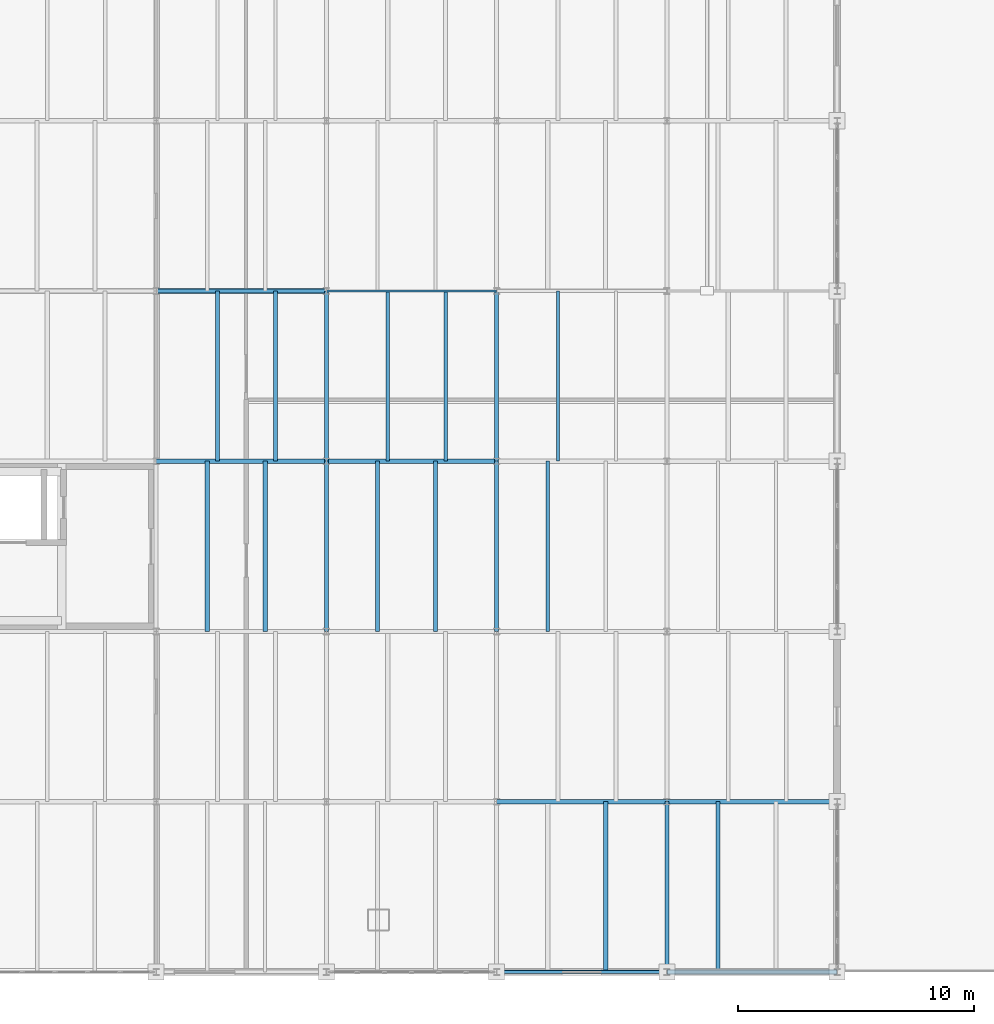
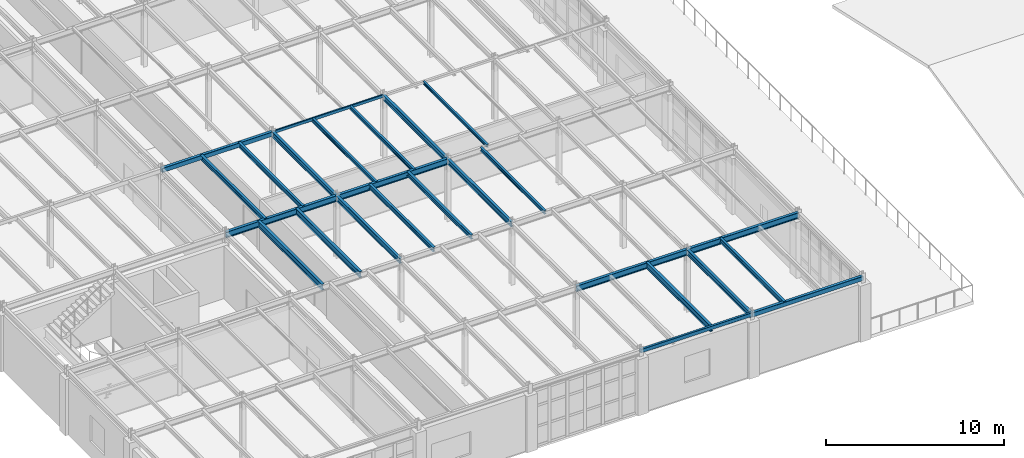
# One storey, part 13 of 36: 25 beams.
"""IFC4 building model written with IfcOpenShell, lengths in metres."""

import ifcopenshell
import ifcopenshell.guid

model = None  # the IFC model being written
_history = None  # IfcOwnerHistory: only IFC2X3 demands one
_inside = {}  # id of a spatial element -> (the spatial element, [elements in it])
_under = {}  # id of a project, library or spatial element -> (it, [spatial elements below it])
_declared = {}  # id of a project -> (the project, [libraries it declares])
_typed = {}  # id of a type object -> (the type object, [elements of that type])
_made_of = {}  # id of a material, layer set ... -> (it, [elements and type objects made of it])


def new_model(schema):
    """Start an empty IFC model of exactly this schema.

    Asked for "IFC4X3", IfcOpenShell would pick the latest addendum, in which some entities
    have other attributes; the version numbers below select the first issue.
    IFC2X3 requires an IfcOwnerHistory on every rooted entity: one is made here for all.
    """
    global model, _history
    if schema == "IFC4X3":
        model = ifcopenshell.file(schema_version=(4, 3, 0, 0))
    else:
        model = ifcopenshell.file(schema=schema)
    _inside.clear()
    _under.clear()
    _declared.clear()
    _typed.clear()
    _made_of.clear()
    _history = None
    if model.schema == "IFC2X3":
        org = make("IfcOrganization", Name="unknown")
        user = make(
            "IfcPersonAndOrganization",
            ThePerson=make("IfcPerson", FamilyName="unknown"),
            TheOrganization=org,
        )
        app = make(
            "IfcApplication",
            ApplicationDeveloper=org,
            Version="unknown",
            ApplicationFullName="unknown",
            ApplicationIdentifier="unknown",
        )
        _history = make(
            "IfcOwnerHistory",
            OwningUser=user,
            OwningApplication=app,
            ChangeAction="ADDED",
            CreationDate=0,
        )
    return model


def make(cls, **values):
    """One entity of the class cls with the attributes given. An attribute that is None is left unset."""
    return model.create_entity(
        cls, **{name: value for name, value in values.items() if value is not None}
    )


def rooted(cls, **values):
    """An entity with a GlobalId (a new one), such as an element, a storey or a relation."""
    return make(cls, GlobalId=ifcopenshell.guid.new(), OwnerHistory=_history, **values)


def si_unit(unit_type, name, prefix=None):
    """IfcSIUnit, for example si_unit("LENGTHUNIT", "METRE", prefix="MILLI")."""
    return make("IfcSIUnit", UnitType=unit_type, Prefix=prefix, Name=name)


def assignment(units):
    """IfcUnitAssignment: the units of a project."""
    return None if units is None else make("IfcUnitAssignment", Units=units)


def point(xyz):
    """IfcCartesianPoint."""
    return None if xyz is None else make("IfcCartesianPoint", Coordinates=xyz)


def direction(xyz):
    """IfcDirection."""
    return None if xyz is None else make("IfcDirection", DirectionRatios=xyz)


def frame(location, z_axis=None, x_axis=None):
    """IfcAxis2Placement3D, a coordinate frame: its origin and axes. An axis left out is left unset."""
    return make(
        "IfcAxis2Placement3D",
        Location=point(location),
        Axis=direction(z_axis),
        RefDirection=direction(x_axis),
    )


def frame_2d(location, x_axis=None):
    """IfcAxis2Placement2D, a coordinate frame in the plane: its origin and x axis."""
    return make(
        "IfcAxis2Placement2D", Location=point(location), RefDirection=direction(x_axis)
    )


def origin():
    """The frame at (0, 0, 0) with its axes left unset."""
    return frame((0.0, 0.0, 0.0))


def origin_2d():
    """The frame at (0, 0) in the plane with its x axis left unset."""
    return frame_2d((0.0, 0.0))


def place(relative_to, where):
    """IfcLocalPlacement: puts the frame where relative to a parent placement (None: the world)."""
    return make(
        "IfcLocalPlacement", PlacementRelTo=relative_to, RelativePlacement=where
    )


def context(
    kind, dimensions, precision=None, world=None, true_north=None, identifier=None
):
    """IfcGeometricRepresentationContext, for example the 3D "Model" context."""
    return make(
        "IfcGeometricRepresentationContext",
        ContextIdentifier=identifier,
        ContextType=kind,
        CoordinateSpaceDimension=dimensions,
        Precision=precision,
        WorldCoordinateSystem=world,
        TrueNorth=true_north,
    )


def subcontext(parent, identifier, kind, view, scale=None):
    """IfcGeometricRepresentationSubContext, for example "Body" below "Model"."""
    return make(
        "IfcGeometricRepresentationSubContext",
        ContextIdentifier=identifier,
        ContextType=kind,
        ParentContext=parent,
        TargetScale=scale,
        TargetView=view,
    )


def project(units=None, contexts=None):
    """IfcProject with its units and contexts."""
    return rooted(
        "IfcProject",
        Name="project",
        RepresentationContexts=contexts,
        UnitsInContext=assignment(units),
    )


def spatial(cls, under=None, at=None, **own):
    """A site, building, storey or space (cls), placed at a placement, below another one or the project."""
    s = rooted(cls, ObjectPlacement=at, **own)
    if under is not None:
        _under.setdefault(under.id(), (under, []))[1].append(s)
    return s


def profile(cls, at=None, kind="AREA", **sizes):
    """A parametric profile (cls). Its sizes go by their IFC names, for example OverallWidth=200.0."""
    return make(cls, ProfileType=kind, Position=at, **sizes)


def hollow_rectangle(**sizes):
    """IfcRectangleHollowProfileDef."""
    return profile("IfcRectangleHollowProfileDef", **sizes)


def i_section(**sizes):
    """IfcIShapeProfileDef."""
    return profile("IfcIShapeProfileDef", **sizes)


def extrude(swept, where, along, depth):
    """IfcExtrudedAreaSolid: the profile swept, set in the frame where, extruded along a direction by depth."""
    return make(
        "IfcExtrudedAreaSolid",
        SweptArea=swept,
        Position=where,
        ExtrudedDirection=direction(along),
        Depth=depth,
    )


def shape(context_of_items, identifier, shape_type, items):
    """IfcShapeRepresentation: the items that make up one representation, for example the "Body"."""
    return make(
        "IfcShapeRepresentation",
        ContextOfItems=context_of_items,
        RepresentationIdentifier=identifier,
        RepresentationType=shape_type,
        Items=items,
    )


def material(Name=None, Category=None):
    """IfcMaterial."""
    return make("IfcMaterial", Name=Name, Category=Category)


def material_profile(
    of_material, cross_section, Name=None, Category=None, Priority=None
):
    """IfcMaterialProfile: a cross section and its material."""
    return make(
        "IfcMaterialProfile",
        Name=Name,
        Material=of_material,
        Profile=cross_section,
        Priority=Priority,
        Category=Category,
    )


def profile_set(profiles, Name=None, composite=None):
    """IfcMaterialProfileSet."""
    return make(
        "IfcMaterialProfileSet",
        Name=Name,
        MaterialProfiles=profiles,
        CompositeProfile=composite,
    )


def made_of(thing, what):
    """Note that an element or type object is made of a material, layer set ...; save() writes the relation."""
    if what is not None:
        _made_of.setdefault(what.id(), (what, []))[1].append(thing)
    return thing


def type_object(cls, material=None, **own):
    """A type object (cls), such as IfcWallType, which elements share."""
    return made_of(rooted(cls, **own), material)


def element(
    cls,
    number,
    at=None,
    inside=None,
    cuts=None,
    type_object=None,
    material=None,
    context=None,
    identifier="Body",
    shape_type=None,
    held_by="IfcProductDefinitionShape",
    body=None,
    shapes=None,
    **own,
):
    """One element of the class cls, such as IfcWall. Its Tag is "e" and its number.

    at: its placement. inside: the storey or other place that contains it. cuts: it is an
    opening in that element (IfcRelVoidsElement). A single representation is given by context,
    identifier, shape_type and body (its items); several are given by shapes. held_by: the class
    of the entity that holds the representations. save() writes the other relations.
    """
    e = rooted(cls, Tag="e%d" % number, ObjectPlacement=at, **own)
    if body is not None:
        shapes = [shape(context, identifier, shape_type, body)]
    if shapes is not None:
        e.Representation = make(held_by, Representations=shapes)
    if inside is not None:
        _inside.setdefault(inside.id(), (inside, []))[1].append(e)
    if cuts is not None:
        rooted(
            "IfcRelVoidsElement", RelatingBuildingElement=cuts, RelatedOpeningElement=e
        )
    if type_object is not None:
        _typed.setdefault(type_object.id(), (type_object, []))[1].append(e)
    return made_of(e, material)


def aggregate(whole, parts):
    """IfcRelAggregates: a whole, such as a stair, and the parts it consists of."""
    return rooted("IfcRelAggregates", RelatingObject=whole, RelatedObjects=parts)


def save(model, path):
    """Write the relations noted so far, then the file.

    IfcRelAggregates (storeys below a building ...), IfcRelContainedInSpatialStructure (elements
    in a storey), IfcRelDefinesByType, IfcRelAssociatesMaterial and IfcRelDeclares: one each for
    every whole, place, type object, material and project.
    """
    for whole, parts in _under.values():
        aggregate(whole, parts)
    for where, things in _inside.values():
        rooted(
            "IfcRelContainedInSpatialStructure",
            RelatedElements=things,
            RelatingStructure=where,
        )
    for kind, things in _typed.values():
        rooted("IfcRelDefinesByType", RelatedObjects=things, RelatingType=kind)
    for what, things in _made_of.values():
        rooted("IfcRelAssociatesMaterial", RelatedObjects=things, RelatingMaterial=what)
    for by, libraries in _declared.values():
        rooted("IfcRelDeclares", RelatingContext=by, RelatedDefinitions=libraries)
    model.write(path)


model = new_model("IFC4")

# Units and contexts
model_context = context("Model", 3, precision=1e-05, world=origin(), true_north=direction((0.0, 1.0)))
body_context = subcontext(model_context, "Body", "Model", "MODEL_VIEW")
ifc_project = project(units=[si_unit("LENGTHUNIT", "METRE"), si_unit("AREAUNIT", "SQUARE_METRE"), si_unit("VOLUMEUNIT", "CUBIC_METRE"), si_unit("PLANEANGLEUNIT", "RADIAN"), si_unit("MASSUNIT", "GRAM", prefix="KILO")], contexts=[model_context])

# Site, building, storey
site_placement = place(None, origin())
site = spatial("IfcSite", under=ifc_project, at=site_placement, CompositionType="ELEMENT")
building_placement = place(site_placement, origin())
building = spatial("IfcBuilding", under=site, at=building_placement, Name="Kemerveld Promenade Tramway Depot", CompositionType="ELEMENT")
storey_placement = place(building_placement, frame((0.0, 0.0, 14.39990234375)))
storey = spatial("IfcBuildingStorey", under=building, at=storey_placement, Name="L03", CompositionType="ELEMENT", Elevation=14.39990234375)

# Beams
ifc_material = material(Name="Steel S355", Category="steel")
ifc_material_profile_1 = material_profile(ifc_material, i_section(OverallWidth=0.1787109375, OverallDepth=0.409423828125, WebThickness=0.0087890625, FlangeThickness=0.014404296875, FilletRadius=0.01025390625, at=origin_2d()), Name="406x178x67 UB")
ifc_profile_set_1 = profile_set([ifc_material_profile_1], Name="Steel S355")
beam_type_1 = type_object("IfcBeamType", Name="BM-G07", PredefinedType="BEAM", material=ifc_profile_set_1)
for number, where, z_axis, x_axis, name in (
    (1, (28.800048828125, 7.199951171875, 4.080322265625), (1.0, 0.0, 0.0), (0.0, 1.0, 0.0), "BMX-L03-05-06-B"),
    (2, (36.0, 7.199951171875, 4.080322265625), (1.0, 0.0, 0.0), (0.0, 1.0, 0.0), "BMX-L03-06-07-B"),
):
    element("IfcBeam", number, at=place(storey_placement, frame(where, z_axis=z_axis, x_axis=x_axis)), inside=storey, type_object=beam_type_1, Name=name, PredefinedType="BEAM", context=body_context, shape_type="SweptSolid", body=[
        extrude(i_section(OverallWidth=0.1787109375, OverallDepth=0.409423828125, WebThickness=0.0087890625, FlangeThickness=0.014404296875, FilletRadius=0.01025390625, at=origin_2d()), origin(), (0.0, 0.0, 1.0), 7.199951171875),
    ])
beam_1_placement = place(storey_placement, frame((14.39990234375, 21.60009765625, 4.075439453125), z_axis=(1.0, 0.0, 0.0), x_axis=(0.0, 1.0, 0.0)))
element("IfcBeam", 3, at=beam_1_placement, inside=storey, type_object=beam_type_1, Name="BMX-L03-03-04-D", PredefinedType="BEAM", context=body_context, shape_type="SweptSolid", body=[
    extrude(i_section(OverallWidth=0.1787109375, OverallDepth=0.409423828125, WebThickness=0.0087890625, FlangeThickness=0.014404296875, FilletRadius=0.01025390625, at=origin_2d()), origin(), (0.0, 0.0, 1.0), 7.2001953125),
])
beam_2_placement = place(storey_placement, frame((21.60009765625, 21.60009765625, 4.080322265625), z_axis=(1.0, 0.0, 0.0), x_axis=(0.0, 1.0, 0.0)))
element("IfcBeam", 4, at=beam_2_placement, inside=storey, type_object=beam_type_1, Name="BMX-L03-04-05-D", PredefinedType="BEAM", context=body_context, shape_type="SweptSolid", body=[
    extrude(i_section(OverallWidth=0.1787109375, OverallDepth=0.409423828125, WebThickness=0.0087890625, FlangeThickness=0.014404296875, FilletRadius=0.01025390625, at=origin_2d()), origin(), (0.0, 0.0, 1.0), 7.199951171875),
])
ifc_material_profile_2 = material_profile(ifc_material, i_section(OverallWidth=0.172119140625, OverallDepth=0.35791015625, WebThickness=0.008056640625, FlangeThickness=0.012939453125, FilletRadius=0.01025390625, at=origin_2d()), Name="356x171x57 UB")
ifc_profile_set_2 = profile_set([ifc_material_profile_2], Name="Steel S355")
beam_type_2 = type_object("IfcBeamType", Name="BM-G08", PredefinedType="BEAM", material=ifc_profile_set_2)
beam_3_placement = place(storey_placement, frame((21.60009765625, 14.39990234375, 4.106201171875), z_axis=(0.0, 1.0, 0.0), x_axis=(-1.0, 0.0, 0.0)))
element("IfcBeam", 5, at=beam_3_placement, inside=storey, type_object=beam_type_2, Name="BMY-L03-04-C-D", PredefinedType="BEAM", context=body_context, shape_type="SweptSolid", body=[
    extrude(i_section(OverallWidth=0.172119140625, OverallDepth=0.35791015625, WebThickness=0.008056640625, FlangeThickness=0.012939453125, FilletRadius=0.01025390625, at=origin_2d()), origin(), (0.0, 0.0, 1.0), 7.2001953125),
])
beam_4_placement = place(storey_placement, frame((21.60009765625, 21.60009765625, 4.106201171875), z_axis=(0.0, 1.0, 0.0), x_axis=(-1.0, 0.0, 0.0)))
element("IfcBeam", 6, at=beam_4_placement, inside=storey, type_object=beam_type_2, Name="BMY-L03-04-D-E", PredefinedType="BEAM", context=body_context, shape_type="SweptSolid", body=[
    extrude(i_section(OverallWidth=0.172119140625, OverallDepth=0.35791015625, WebThickness=0.008056640625, FlangeThickness=0.012939453125, FilletRadius=0.01025390625, at=origin_2d()), origin(), (0.0, 0.0, 1.0), 7.199951171875),
])
beam_5_placement = place(storey_placement, frame((28.800048828125, 14.39990234375, 4.106201171875), z_axis=(0.0, 1.0, 0.0), x_axis=(-1.0, 0.0, 0.0)))
element("IfcBeam", 7, at=beam_5_placement, inside=storey, type_object=beam_type_2, Name="BMY-L03-05-C-D", PredefinedType="BEAM", context=body_context, shape_type="SweptSolid", body=[
    extrude(i_section(OverallWidth=0.172119140625, OverallDepth=0.35791015625, WebThickness=0.008056640625, FlangeThickness=0.012939453125, FilletRadius=0.01025390625, at=origin_2d()), origin(), (0.0, 0.0, 1.0), 7.2001953125),
])
for number, where, z_axis, x_axis, name in (
    (8, (28.800048828125, 21.60009765625, 4.106201171875), (0.0, 1.0, 0.0), (-1.0, 0.0, 0.0), "BMY-L03-05-D-E"),
    (9, (36.0, 0.0, 4.106201171875), (0.0, 1.0, 0.0), (-1.0, 0.0, 0.0), "BMY-L03-06-A-B"),
):
    element("IfcBeam", number, at=place(storey_placement, frame(where, z_axis=z_axis, x_axis=x_axis)), inside=storey, type_object=beam_type_2, Name=name, PredefinedType="BEAM", context=body_context, shape_type="SweptSolid", body=[
        extrude(i_section(OverallWidth=0.172119140625, OverallDepth=0.35791015625, WebThickness=0.008056640625, FlangeThickness=0.012939453125, FilletRadius=0.01025390625, at=origin_2d()), origin(), (0.0, 0.0, 1.0), 7.199951171875),
    ])
ifc_material_profile_3 = material_profile(ifc_material, hollow_rectangle(XDim=0.14990234375, YDim=0.25, WallThickness=0.010009765625, InnerFilletRadius=0.0048828125, OuterFilletRadius=0.014892578125, at=origin_2d()), Name="250x150x10.0 RHS")
ifc_profile_set_3 = profile_set([ifc_material_profile_3], Name="Steel S355")
beam_type_3 = type_object("IfcBeamType", Name="BM-G17", PredefinedType="BEAM", material=ifc_profile_set_3)
beam_6_placement = place(storey_placement, frame((28.800048828125, 0.0, 4.16015625), z_axis=(1.0, 0.0, 0.0), x_axis=(0.0, 1.0, 0.0)))
element("IfcBeam", 10, at=beam_6_placement, inside=storey, type_object=beam_type_3, Name="BMX-L03-05-06-A", PredefinedType="BEAM", context=body_context, shape_type="SweptSolid", body=[
    extrude(hollow_rectangle(XDim=0.14990234375, YDim=0.25, WallThickness=0.010009765625, InnerFilletRadius=0.0048828125, OuterFilletRadius=0.014892578125, at=origin_2d()), origin(), (0.0, 0.0, 1.0), 7.199951171875),
])
ifc_material_profile_4 = material_profile(ifc_material, hollow_rectangle(XDim=0.199951171875, YDim=0.300048828125, WallThickness=0.012451171875, InnerFilletRadius=0.00634765625, OuterFilletRadius=0.018798828125, at=origin_2d()), Name="300x200x12.5 RHS")
ifc_profile_set_4 = profile_set([ifc_material_profile_4], Name="Steel S355")
beam_type_4 = type_object("IfcBeamType", Name="BM-G18", PredefinedType="BEAM", material=ifc_profile_set_4)
beam_7_placement = place(storey_placement, frame((36.0, 0.0, 4.135009765625), z_axis=(1.0, 0.0, 0.0), x_axis=(0.0, 1.0, 0.0)))
element("IfcBeam", 11, at=beam_7_placement, inside=storey, type_object=beam_type_4, Name="BMX-L03-06-07-A", PredefinedType="BEAM", context=body_context, shape_type="SweptSolid", body=[
    extrude(hollow_rectangle(XDim=0.199951171875, YDim=0.300048828125, WallThickness=0.012451171875, InnerFilletRadius=0.00634765625, OuterFilletRadius=0.018798828125, at=origin_2d()), origin(), (0.0, 0.0, 1.0), 7.199951171875),
])
ifc_material_profile_5 = material_profile(ifc_material, i_section(OverallWidth=0.165771484375, OverallDepth=0.306640625, WebThickness=0.006591796875, FlangeThickness=0.01171875, FilletRadius=0.0087890625, at=origin_2d()), Name="305x165x46 UB")
ifc_profile_set_5 = profile_set([ifc_material_profile_5], Name="Steel S355")
beam_type_5 = type_object("IfcBeamType", Name="BM-J01", PredefinedType="JOIST", material=ifc_profile_set_5)
for number, where, z_axis, x_axis, name in (
    (12, (16.991943359375, 21.60009765625, 4.1318359375), (0.0, 1.0, 0.0), (-1.0, 0.0, 0.0), "JST-L03-03-D-1"),
    (13, (19.43994140625, 21.60009765625, 4.1318359375), (0.0, 1.0, 0.0), (-1.0, 0.0, 0.0), "JST-L03-03-D-2"),
):
    element("IfcBeam", number, at=place(storey_placement, frame(where, z_axis=z_axis, x_axis=x_axis)), inside=storey, type_object=beam_type_5, Name=name, PredefinedType="JOIST", context=body_context, shape_type="SweptSolid", body=[
        extrude(i_section(OverallWidth=0.165771484375, OverallDepth=0.306640625, WebThickness=0.006591796875, FlangeThickness=0.01171875, FilletRadius=0.0087890625, at=origin_2d()), origin(), (0.0, 0.0, 1.0), 7.199951171875),
    ])
for number, where, z_axis, x_axis, name in (
    (14, (23.760009765625, 14.39990234375, 4.1318359375), (0.0, 1.0, 0.0), (-1.0, 0.0, 0.0), "JST-L03-04-C-1"),
    (15, (26.2080078125, 14.39990234375, 4.1318359375), (0.0, 1.0, 0.0), (-1.0, 0.0, 0.0), "JST-L03-04-C-2"),
):
    element("IfcBeam", number, at=place(storey_placement, frame(where, z_axis=z_axis, x_axis=x_axis)), inside=storey, type_object=beam_type_5, Name=name, PredefinedType="JOIST", context=body_context, shape_type="SweptSolid", body=[
        extrude(i_section(OverallWidth=0.165771484375, OverallDepth=0.306640625, WebThickness=0.006591796875, FlangeThickness=0.01171875, FilletRadius=0.0087890625, at=origin_2d()), origin(), (0.0, 0.0, 1.0), 7.2001953125),
    ])
beam_8_placement = place(storey_placement, frame((38.159912109375, 0.0, 4.1318359375), z_axis=(0.0, 1.0, 0.0), x_axis=(-1.0, 0.0, 0.0)))
element("IfcBeam", 16, at=beam_8_placement, inside=storey, type_object=beam_type_5, Name="JST-L03-06-A-1", PredefinedType="JOIST", context=body_context, shape_type="SweptSolid", body=[
    extrude(i_section(OverallWidth=0.165771484375, OverallDepth=0.306640625, WebThickness=0.006591796875, FlangeThickness=0.01171875, FilletRadius=0.0087890625, at=origin_2d()), origin(), (0.0, 0.0, 1.0), 7.199951171875),
])
ifc_material_profile_6 = material_profile(ifc_material, i_section(OverallWidth=0.146484375, OverallDepth=0.256103515625, WebThickness=0.00634765625, FlangeThickness=0.010986328125, FilletRadius=0.007568359375, at=origin_2d()), Name="254x146x37 UB")
ifc_profile_set_6 = profile_set([ifc_material_profile_6], Name="Steel S355")
beam_type_6 = type_object("IfcBeamType", Name="BM-J02", PredefinedType="JOIST", material=ifc_profile_set_6)
for number, where, z_axis, x_axis, name in (
    (17, (24.19189453125, 21.60009765625, 4.156982421875), (0.0, 1.0, 0.0), (-1.0, 0.0, 0.0), "JST-L03-04-D-1"),
    (18, (26.639892578125, 21.60009765625, 4.156982421875), (0.0, 1.0, 0.0), (-1.0, 0.0, 0.0), "JST-L03-04-D-2"),
):
    element("IfcBeam", number, at=place(storey_placement, frame(where, z_axis=z_axis, x_axis=x_axis)), inside=storey, type_object=beam_type_6, Name=name, PredefinedType="JOIST", context=body_context, shape_type="SweptSolid", body=[
        extrude(i_section(OverallWidth=0.146484375, OverallDepth=0.256103515625, WebThickness=0.00634765625, FlangeThickness=0.010986328125, FilletRadius=0.007568359375, at=origin_2d()), origin(), (0.0, 0.0, 1.0), 7.199951171875),
    ])
beam_9_placement = place(storey_placement, frame((30.9599609375, 14.39990234375, 4.156982421875), z_axis=(0.0, 1.0, 0.0), x_axis=(-1.0, 0.0, 0.0)))
element("IfcBeam", 19, at=beam_9_placement, inside=storey, type_object=beam_type_6, Name="JST-L03-05-C-1", PredefinedType="JOIST", context=body_context, shape_type="SweptSolid", body=[
    extrude(i_section(OverallWidth=0.146484375, OverallDepth=0.256103515625, WebThickness=0.00634765625, FlangeThickness=0.010986328125, FilletRadius=0.007568359375, at=origin_2d()), origin(), (0.0, 0.0, 1.0), 7.2001953125),
])
ifc_material_profile_7 = material_profile(ifc_material, i_section(OverallWidth=0.13330078125, OverallDepth=0.203125, WebThickness=0.005615234375, FlangeThickness=0.0078125, FilletRadius=0.007568359375, at=origin_2d()), Name="203x133x25 UB")
ifc_profile_set_7 = profile_set([ifc_material_profile_7], Name="Steel S355")
beam_type_7 = type_object("IfcBeamType", Name="BM-J03", PredefinedType="JOIST", material=ifc_profile_set_7)
beam_10_placement = place(storey_placement, frame((31.39208984375, 21.60009765625, 4.18359375), z_axis=(0.0, 1.0, 0.0), x_axis=(-1.0, 0.0, 0.0)))
element("IfcBeam", 20, at=beam_10_placement, inside=storey, type_object=beam_type_7, Name="JST-L03-05-D-1", PredefinedType="JOIST", context=body_context, shape_type="SweptSolid", body=[
    extrude(i_section(OverallWidth=0.13330078125, OverallDepth=0.203125, WebThickness=0.005615234375, FlangeThickness=0.0078125, FilletRadius=0.007568359375, at=origin_2d()), origin(), (0.0, 0.0, 1.0), 7.199951171875),
])
ifc_material_profile_8 = material_profile(ifc_material, i_section(OverallWidth=0.1787109375, OverallDepth=0.409423828125, WebThickness=0.0087890625, FlangeThickness=0.014404296875, FilletRadius=0.01025390625, at=origin_2d()), Name="406x178x67 UB")
ifc_profile_set_8 = profile_set([ifc_material_profile_8], Name="Steel S355")
beam_type_8 = type_object("IfcBeamType", Name="BM-J05", PredefinedType="JOIST", material=ifc_profile_set_8)
for number, where, z_axis, x_axis, name in (
    (21, (16.56005859375, 14.39990234375, 4.080322265625), (0.0, 1.0, 0.0), (-1.0, 0.0, 0.0), "JST-L03-03-C-1"),
    (22, (19.008056640625, 14.39990234375, 4.080322265625), (0.0, 1.0, 0.0), (-1.0, 0.0, 0.0), "JST-L03-03-C-2"),
):
    element("IfcBeam", number, at=place(storey_placement, frame(where, z_axis=z_axis, x_axis=x_axis)), inside=storey, type_object=beam_type_8, Name=name, PredefinedType="JOIST", context=body_context, shape_type="SweptSolid", body=[
        extrude(i_section(OverallWidth=0.1787109375, OverallDepth=0.409423828125, WebThickness=0.0087890625, FlangeThickness=0.014404296875, FilletRadius=0.01025390625, at=origin_2d()), origin(), (0.0, 0.0, 1.0), 7.2001953125),
    ])
beam_11_placement = place(storey_placement, frame((33.407958984375, 0.0, 4.080322265625), z_axis=(0.0, 1.0, 0.0), x_axis=(-1.0, 0.0, 0.0)))
element("IfcBeam", 23, at=beam_11_placement, inside=storey, type_object=beam_type_8, Name="JST-L03-05-A-2", PredefinedType="JOIST", context=body_context, shape_type="SweptSolid", body=[
    extrude(i_section(OverallWidth=0.1787109375, OverallDepth=0.409423828125, WebThickness=0.0087890625, FlangeThickness=0.014404296875, FilletRadius=0.01025390625, at=origin_2d()), origin(), (0.0, 0.0, 1.0), 7.199951171875),
])
ifc_material_profile_9 = material_profile(ifc_material, hollow_rectangle(XDim=0.199951171875, YDim=0.300048828125, WallThickness=0.012451171875, InnerFilletRadius=0.00634765625, OuterFilletRadius=0.018798828125, at=origin_2d()), Name="300x200x12.5 RHS")
ifc_profile_set_9 = profile_set([ifc_material_profile_9], Name="Steel S355")
beam_type_9 = type_object("IfcBeamType", Name="BM-SP1", PredefinedType="SPANDREL", material=ifc_profile_set_9)
beam_12_placement = place(storey_placement, frame((14.39990234375, 28.800048828125, 4.135009765625), z_axis=(1.0, 0.0, 0.0), x_axis=(0.0, 1.0, 0.0)))
element("IfcBeam", 24, at=beam_12_placement, inside=storey, type_object=beam_type_9, Name="BMX-L03-03-04-E", PredefinedType="SPANDREL", context=body_context, shape_type="SweptSolid", body=[
    extrude(hollow_rectangle(XDim=0.199951171875, YDim=0.300048828125, WallThickness=0.012451171875, InnerFilletRadius=0.00634765625, OuterFilletRadius=0.018798828125, at=origin_2d()), origin(), (0.0, 0.0, 1.0), 7.2001953125),
])
ifc_material_profile_10 = material_profile(ifc_material, hollow_rectangle(XDim=0.10009765625, YDim=0.199951171875, WallThickness=0.008056640625, InnerFilletRadius=0.00390625, OuterFilletRadius=0.011962890625, at=origin_2d()), Name="200x100x8.0 RHS")
ifc_profile_set_10 = profile_set([ifc_material_profile_10], Name="Steel S355")
beam_type_10 = type_object("IfcBeamType", Name="BM-SP3", PredefinedType="SPANDREL", material=ifc_profile_set_10)
beam_13_placement = place(storey_placement, frame((21.60009765625, 28.800048828125, 4.18505859375), z_axis=(1.0, 0.0, 0.0), x_axis=(0.0, 1.0, 0.0)))
element("IfcBeam", 25, at=beam_13_placement, inside=storey, type_object=beam_type_10, Name="BMX-L03-04-05-E", PredefinedType="SPANDREL", context=body_context, shape_type="SweptSolid", body=[
    extrude(hollow_rectangle(XDim=0.10009765625, YDim=0.199951171875, WallThickness=0.008056640625, InnerFilletRadius=0.00390625, OuterFilletRadius=0.011962890625, at=origin_2d()), origin(), (0.0, 0.0, 1.0), 7.199951171875),
])

save(model, "model.ifc")
